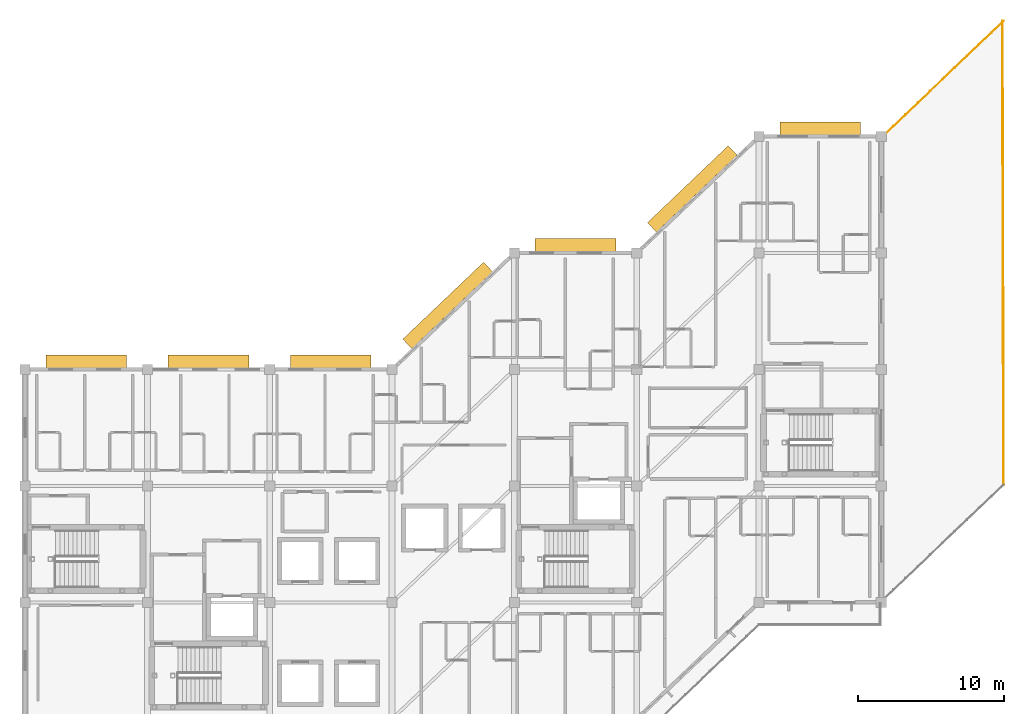
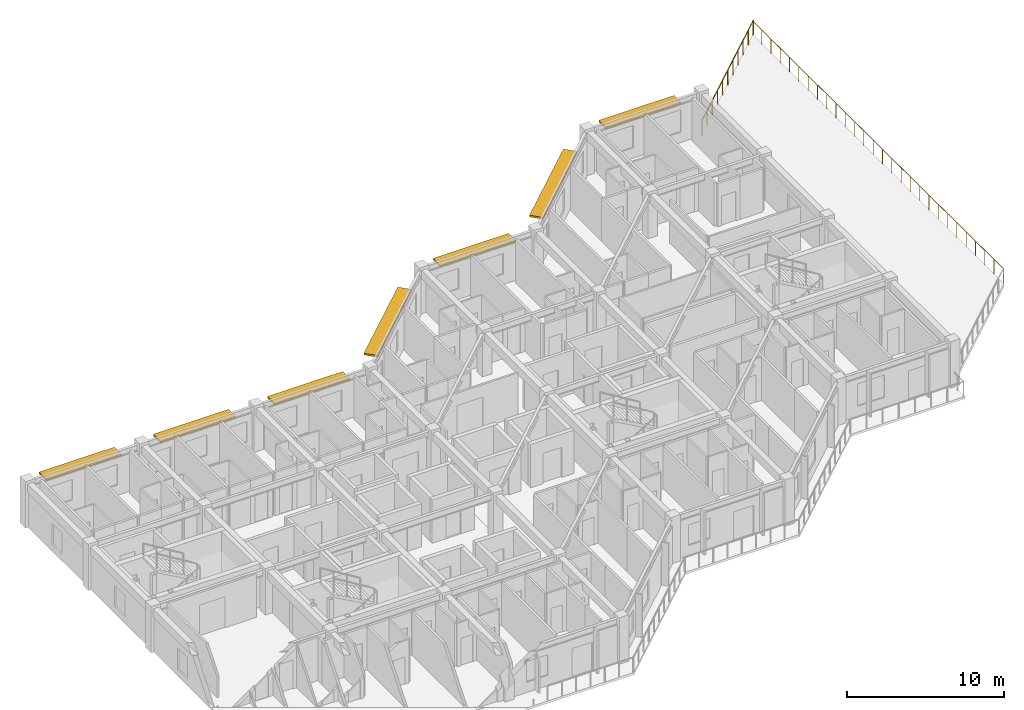
# One storey, part 16 of 16: 7 shading devices, 2 railings.
"""IFC4 building model written with IfcOpenShell, lengths in metres."""

from ifc_helpers import new_model, si_unit, direction, frame, origin, origin_2d, place, context, subcontext, project, spatial, rectangle, circle, extrude, material, layer, layer_set, type_object, element, save


model = new_model("IFC4")

# Units and contexts
model_context = context("Model", 3, precision=1e-05, world=origin(), true_north=direction((0.0, 1.0)))
body_context = subcontext(model_context, "Body", "Model", "MODEL_VIEW")
ifc_project = project(units=[si_unit("LENGTHUNIT", "METRE"), si_unit("AREAUNIT", "SQUARE_METRE"), si_unit("VOLUMEUNIT", "CUBIC_METRE"), si_unit("PLANEANGLEUNIT", "RADIAN"), si_unit("MASSUNIT", "GRAM", prefix="KILO")], contexts=[model_context])

# Site, building, storey
site_placement = place(None, origin())
site = spatial("IfcSite", under=ifc_project, at=site_placement, CompositionType="ELEMENT")
building_placement = place(site_placement, origin())
building = spatial("IfcBuilding", under=site, at=building_placement, Name="Naruveol Harbour Congress Hotel", CompositionType="ELEMENT")
storey_placement = place(building_placement, frame((0.0, 0.0, 28.800048828125)))
storey = spatial("IfcBuildingStorey", under=building, at=storey_placement, Name="L06", CompositionType="ELEMENT", Elevation=28.800048828125)

# Railings
ifc_material_1 = material(Name="Tempered Laminated Safety Glass & Stainless Steel", Category="steel")
ifc_layer_1 = layer(ifc_material_1, 0.06005859375)
ifc_layer_set_1 = layer_set([ifc_layer_1], Name="Tempered Laminated Safety Glass & Stainless Steel")
railing_type = type_object("IfcRailingType", Name="LAMINATED GLASS TERRACE BALUSTRADE 1150", PredefinedType="BALUSTRADE", material=ifc_layer_set_1)
railing_1_placement = place(storey_placement, frame((184.800048828125, 24.080078125, 0.0)))
element("IfcRailing", 1, at=railing_1_placement, inside=storey, type_object=railing_type, Name="L06 East Harbour Garden Terrace balustrade #98", PredefinedType="BALUSTRADE", context=body_context, shape_type="SweptSolid", body=[
    extrude(circle(Radius=0.02392578125, at=origin_2d()), frame((0.0, 0.0, 1.1259765625), z_axis=(-0.002515020877, 0.99999683733, 0.0), x_axis=(-0.99999683733, -0.002515020877, 0.0)), (0.0, 0.0, 1.0), 31.83984375),
    extrude(circle(Radius=0.02099609375, at=origin_2d()), origin(), (0.0, 0.0, 1.0), 1.101806640625),
    extrude(circle(Radius=0.02099609375, at=origin_2d()), frame((-0.0029296875, 1.17919921875, 0.0)), (0.0, 0.0, 1.0), 1.101806640625),
    extrude(circle(Radius=0.02099609375, at=origin_2d()), frame((-0.005859375, 2.3583984375, 0.0)), (0.0, 0.0, 1.0), 1.101806640625),
    extrude(circle(Radius=0.02099609375, at=origin_2d()), frame((-0.0087890625, 3.537841796875, 0.0)), (0.0, 0.0, 1.0), 1.101806640625),
    extrude(circle(Radius=0.02099609375, at=origin_2d()), frame((-0.011962890625, 4.717041015625, 0.0)), (0.0, 0.0, 1.0), 1.101806640625),
    extrude(circle(Radius=0.02099609375, at=origin_2d()), frame((-0.014892578125, 5.896240234375, 0.0)), (0.0, 0.0, 1.0), 1.101806640625),
    extrude(circle(Radius=0.02099609375, at=origin_2d()), frame((-0.017822265625, 7.075439453125, 0.0)), (0.0, 0.0, 1.0), 1.101806640625),
    extrude(circle(Radius=0.02099609375, at=origin_2d()), frame((-0.020751953125, 8.2548828125, 0.0)), (0.0, 0.0, 1.0), 1.101806640625),
    extrude(circle(Radius=0.02099609375, at=origin_2d()), frame((-0.023681640625, 9.43408203125, 0.0)), (0.0, 0.0, 1.0), 1.101806640625),
    extrude(circle(Radius=0.02099609375, at=origin_2d()), frame((-0.026611328125, 10.61328125, 0.0)), (0.0, 0.0, 1.0), 1.101806640625),
    extrude(circle(Radius=0.02099609375, at=origin_2d()), frame((-0.029541015625, 11.79248046875, 0.0)), (0.0, 0.0, 1.0), 1.101806640625),
    extrude(circle(Radius=0.02099609375, at=origin_2d()), frame((-0.03271484375, 12.9716796875, 0.0)), (0.0, 0.0, 1.0), 1.101806640625),
    extrude(circle(Radius=0.02099609375, at=origin_2d()), frame((-0.03564453125, 14.151123046875, 0.0)), (0.0, 0.0, 1.0), 1.101806640625),
    extrude(circle(Radius=0.02099609375, at=origin_2d()), frame((-0.03857421875, 15.330322265625, 0.0)), (0.0, 0.0, 1.0), 1.101806640625),
    extrude(circle(Radius=0.02099609375, at=origin_2d()), frame((-0.04150390625, 16.509521484375, 0.0)), (0.0, 0.0, 1.0), 1.101806640625),
    extrude(circle(Radius=0.02099609375, at=origin_2d()), frame((-0.04443359375, 17.688720703125, 0.0)), (0.0, 0.0, 1.0), 1.101806640625),
    extrude(circle(Radius=0.02099609375, at=origin_2d()), frame((-0.04736328125, 18.8681640625, 0.0)), (0.0, 0.0, 1.0), 1.101806640625),
    extrude(circle(Radius=0.02099609375, at=origin_2d()), frame((-0.050537109375, 20.04736328125, 0.0)), (0.0, 0.0, 1.0), 1.101806640625),
    extrude(circle(Radius=0.02099609375, at=origin_2d()), frame((-0.053466796875, 21.2265625, 0.0)), (0.0, 0.0, 1.0), 1.101806640625),
    extrude(circle(Radius=0.02099609375, at=origin_2d()), frame((-0.056396484375, 22.40576171875, 0.0)), (0.0, 0.0, 1.0), 1.101806640625),
    extrude(circle(Radius=0.02099609375, at=origin_2d()), frame((-0.059326171875, 23.5849609375, 0.0)), (0.0, 0.0, 1.0), 1.101806640625),
    extrude(circle(Radius=0.02099609375, at=origin_2d()), frame((-0.062255859375, 24.764404296875, 0.0)), (0.0, 0.0, 1.0), 1.101806640625),
    extrude(circle(Radius=0.02099609375, at=origin_2d()), frame((-0.065185546875, 25.943603515625, 0.0)), (0.0, 0.0, 1.0), 1.101806640625),
    extrude(circle(Radius=0.02099609375, at=origin_2d()), frame((-0.068115234375, 27.122802734375, 0.0)), (0.0, 0.0, 1.0), 1.101806640625),
    extrude(circle(Radius=0.02099609375, at=origin_2d()), frame((-0.0712890625, 28.302001953125, 0.0)), (0.0, 0.0, 1.0), 1.101806640625),
    extrude(circle(Radius=0.02099609375, at=origin_2d()), frame((-0.07421875, 29.4814453125, 0.0)), (0.0, 0.0, 1.0), 1.101806640625),
    extrude(circle(Radius=0.02099609375, at=origin_2d()), frame((-0.0771484375, 30.66064453125, 0.0)), (0.0, 0.0, 1.0), 1.101806640625),
    extrude(circle(Radius=0.02099609375, at=origin_2d()), frame((-0.080078125, 31.83984375, 0.0)), (0.0, 0.0, 1.0), 1.101806640625),
])
railing_2_placement = place(storey_placement, frame((184.800048828125, 55.919921875, 0.0)))
element("IfcRailing", 2, at=railing_2_placement, inside=storey, type_object=railing_type, Name="L06 East Harbour Garden Terrace balustrade #99", PredefinedType="BALUSTRADE", context=body_context, shape_type="SweptSolid", body=[
    extrude(circle(Radius=0.02392578125, at=origin_2d()), frame((0.0, 0.0, 1.1259765625), z_axis=(-0.724143937118, -0.689648865971, 0.0), x_axis=(0.689648865971, -0.724143937118, 0.0)), (0.0, 0.0, 1.0), 11.60009765625),
    extrude(circle(Radius=0.02099609375, at=origin_2d()), origin(), (0.0, 0.0, 1.0), 1.101806640625),
    extrude(circle(Radius=0.02099609375, at=origin_2d()), frame((-0.840087890625, -0.800048828125, 0.0)), (0.0, 0.0, 1.0), 1.101806640625),
    extrude(circle(Radius=0.02099609375, at=origin_2d()), frame((-1.679931640625, -1.60009765625, 0.0)), (0.0, 0.0, 1.0), 1.101806640625),
    extrude(circle(Radius=0.02099609375, at=origin_2d()), frame((-2.52001953125, -2.39990234375, 0.0)), (0.0, 0.0, 1.0), 1.101806640625),
    extrude(circle(Radius=0.02099609375, at=origin_2d()), frame((-3.360107421875, -3.199951171875, 0.0)), (0.0, 0.0, 1.0), 1.101806640625),
    extrude(circle(Radius=0.02099609375, at=origin_2d()), frame((-4.2001953125, -4.0, 0.0)), (0.0, 0.0, 1.0), 1.101806640625),
    extrude(circle(Radius=0.02099609375, at=origin_2d()), frame((-5.0400390625, -4.800048828125, 0.0)), (0.0, 0.0, 1.0), 1.101806640625),
    extrude(circle(Radius=0.02099609375, at=origin_2d()), frame((-5.880126953125, -5.60009765625, 0.0)), (0.0, 0.0, 1.0), 1.101806640625),
    extrude(circle(Radius=0.02099609375, at=origin_2d()), frame((-6.72021484375, -6.39990234375, 0.0)), (0.0, 0.0, 1.0), 1.101806640625),
    extrude(circle(Radius=0.02099609375, at=origin_2d()), frame((-7.56005859375, -7.199951171875, 0.0)), (0.0, 0.0, 1.0), 1.101806640625),
    extrude(circle(Radius=0.02099609375, at=origin_2d()), frame((-8.400146484375, -8.0, 0.0)), (0.0, 0.0, 1.0), 1.101806640625),
])

# Shading devices
ifc_material_2 = material(Name="Precast concrete C40/50", Category="concrete")
ifc_layer_2 = layer(ifc_material_2, 0.139892578125)
ifc_layer_set_2 = layer_set([ifc_layer_2], Name="Precast concrete C40/50")
shading_device_type = type_object("IfcShadingDeviceType", Name="PRECAST COBOGO PERFORATED SUNSHADE CANOPY", PredefinedType="AWNING", material=ifc_layer_set_2)
for number, where, z_axis, x_axis, name in (
    (3, (121.800048828125, 32.550048828125, 2.7900390625), (0.0, 0.0, 1.0), (1.0, 0.0, 0.0), "Precast cobogo sunshade CB-A900 #43"),
    (4, (130.199951171875, 32.550048828125, 2.7900390625), (0.0, 0.0, 1.0), (1.0, 0.0, 0.0), "Precast cobogo sunshade CB-A900 #46"),
    (5, (138.60009765625, 32.550048828125, 2.7900390625), (0.0, 0.0, 1.0), (1.0, 0.0, 0.0), "Precast cobogo sunshade CB-A900 #49"),
):
    element("IfcShadingDevice", number, at=place(storey_placement, frame(where, z_axis=z_axis, x_axis=x_axis)), inside=storey, type_object=shading_device_type, Name=name, PredefinedType="AWNING", context=body_context, shape_type="SweptSolid", body=[
        extrude(rectangle(XDim=5.5400390625, YDim=0.89990234375, at=origin_2d()), origin(), (0.0, 0.0, 1.0), 0.139892578125),
    ])
shading_device_1_placement = place(storey_placement, frame((146.62109375, 36.39794921875, 2.7900390625), z_axis=(0.0, 0.0, 1.0), x_axis=(0.724171861437, 0.689619543736, 0.0)))
element("IfcShadingDevice", 6, at=shading_device_1_placement, inside=storey, type_object=shading_device_type, Name="Precast cobogo sunshade CB-A900 #52", PredefinedType="AWNING", context=body_context, shape_type="SweptSolid", body=[
    extrude(rectangle(XDim=7.659912109375, YDim=0.89990234375, at=origin_2d()), origin(), (0.0, 0.0, 1.0), 0.139892578125),
])
shading_device_2_placement = place(storey_placement, frame((155.39990234375, 40.550048828125, 2.7900390625), z_axis=(0.0, 0.0, 1.0), x_axis=(1.0, 0.0, 0.0)))
element("IfcShadingDevice", 7, at=shading_device_2_placement, inside=storey, type_object=shading_device_type, Name="Precast cobogo sunshade CB-A900 #55", PredefinedType="AWNING", context=body_context, shape_type="SweptSolid", body=[
    extrude(rectangle(XDim=5.5400390625, YDim=0.89990234375, at=origin_2d()), origin(), (0.0, 0.0, 1.0), 0.139892578125),
])
shading_device_3_placement = place(storey_placement, frame((163.4208984375, 44.39794921875, 2.7900390625), z_axis=(0.0, 0.0, 1.0), x_axis=(0.724171861437, 0.689619543736, 0.0)))
element("IfcShadingDevice", 8, at=shading_device_3_placement, inside=storey, type_object=shading_device_type, Name="Precast cobogo sunshade CB-A900 #58", PredefinedType="AWNING", context=body_context, shape_type="SweptSolid", body=[
    extrude(rectangle(XDim=7.659912109375, YDim=0.89990234375, at=origin_2d()), origin(), (0.0, 0.0, 1.0), 0.139892578125),
])
shading_device_4_placement = place(storey_placement, frame((172.199951171875, 48.550048828125, 2.7900390625), z_axis=(0.0, 0.0, 1.0), x_axis=(1.0, 0.0, 0.0)))
element("IfcShadingDevice", 9, at=shading_device_4_placement, inside=storey, type_object=shading_device_type, Name="Precast cobogo sunshade CB-A900 #61", PredefinedType="AWNING", context=body_context, shape_type="SweptSolid", body=[
    extrude(rectangle(XDim=5.5400390625, YDim=0.89990234375, at=origin_2d()), origin(), (0.0, 0.0, 1.0), 0.139892578125),
])

save(model, "model.ifc")
